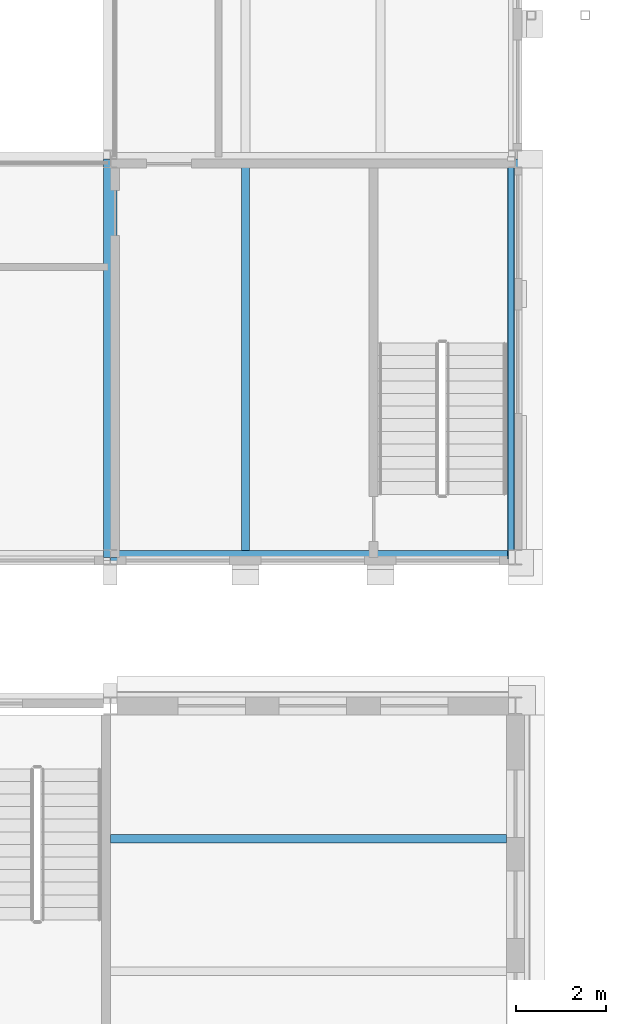
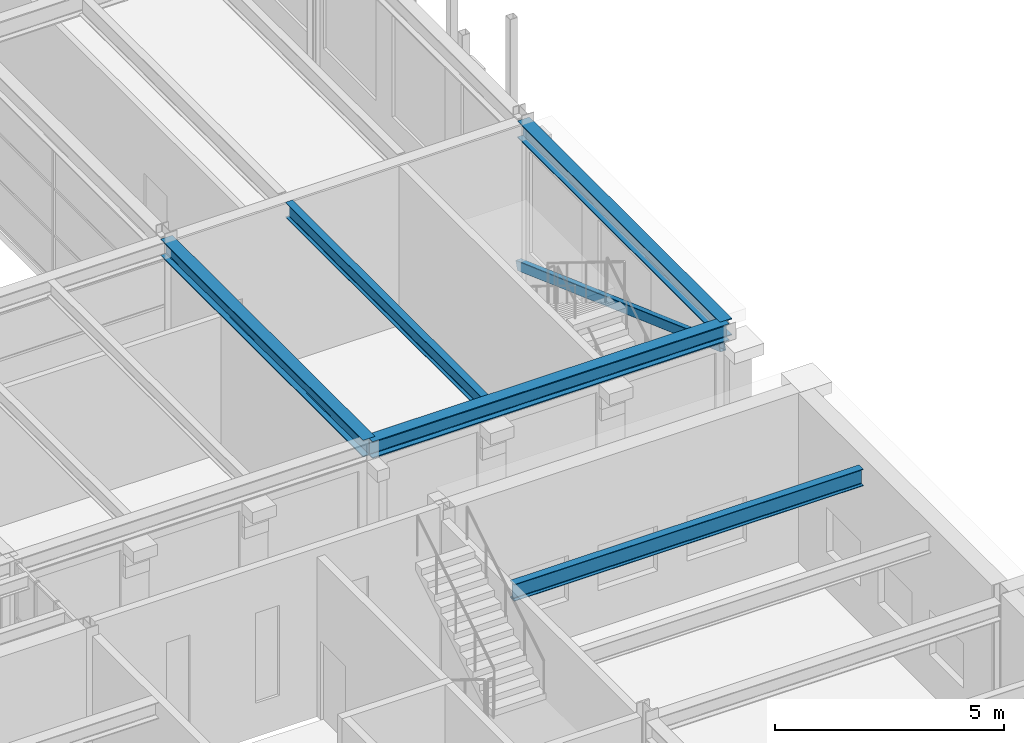
# One storey, part 40 of 153: 5 beams, 1 member.
"""IFC4 building model written with IfcOpenShell, lengths in metres."""

import ifcopenshell
import ifcopenshell.guid

model = None  # the IFC model being written
_history = None  # IfcOwnerHistory: only IFC2X3 demands one
_inside = {}  # id of a spatial element -> (the spatial element, [elements in it])
_under = {}  # id of a project, library or spatial element -> (it, [spatial elements below it])
_declared = {}  # id of a project -> (the project, [libraries it declares])
_typed = {}  # id of a type object -> (the type object, [elements of that type])
_made_of = {}  # id of a material, layer set ... -> (it, [elements and type objects made of it])


def new_model(schema):
    """Start an empty IFC model of exactly this schema.

    Asked for "IFC4X3", IfcOpenShell would pick the latest addendum, in which some entities
    have other attributes; the version numbers below select the first issue.
    IFC2X3 requires an IfcOwnerHistory on every rooted entity: one is made here for all.
    """
    global model, _history
    if schema == "IFC4X3":
        model = ifcopenshell.file(schema_version=(4, 3, 0, 0))
    else:
        model = ifcopenshell.file(schema=schema)
    _inside.clear()
    _under.clear()
    _declared.clear()
    _typed.clear()
    _made_of.clear()
    _history = None
    if model.schema == "IFC2X3":
        org = make("IfcOrganization", Name="unknown")
        user = make(
            "IfcPersonAndOrganization",
            ThePerson=make("IfcPerson", FamilyName="unknown"),
            TheOrganization=org,
        )
        app = make(
            "IfcApplication",
            ApplicationDeveloper=org,
            Version="unknown",
            ApplicationFullName="unknown",
            ApplicationIdentifier="unknown",
        )
        _history = make(
            "IfcOwnerHistory",
            OwningUser=user,
            OwningApplication=app,
            ChangeAction="ADDED",
            CreationDate=0,
        )
    return model


def make(cls, **values):
    """One entity of the class cls with the attributes given. An attribute that is None is left unset."""
    return model.create_entity(
        cls, **{name: value for name, value in values.items() if value is not None}
    )


def rooted(cls, **values):
    """An entity with a GlobalId (a new one), such as an element, a storey or a relation."""
    return make(cls, GlobalId=ifcopenshell.guid.new(), OwnerHistory=_history, **values)


def si_unit(unit_type, name, prefix=None):
    """IfcSIUnit, for example si_unit("LENGTHUNIT", "METRE", prefix="MILLI")."""
    return make("IfcSIUnit", UnitType=unit_type, Prefix=prefix, Name=name)


def assignment(units):
    """IfcUnitAssignment: the units of a project."""
    return None if units is None else make("IfcUnitAssignment", Units=units)


def point(xyz):
    """IfcCartesianPoint."""
    return None if xyz is None else make("IfcCartesianPoint", Coordinates=xyz)


def direction(xyz):
    """IfcDirection."""
    return None if xyz is None else make("IfcDirection", DirectionRatios=xyz)


def frame(location, z_axis=None, x_axis=None):
    """IfcAxis2Placement3D, a coordinate frame: its origin and axes. An axis left out is left unset."""
    return make(
        "IfcAxis2Placement3D",
        Location=point(location),
        Axis=direction(z_axis),
        RefDirection=direction(x_axis),
    )


def frame_2d(location, x_axis=None):
    """IfcAxis2Placement2D, a coordinate frame in the plane: its origin and x axis."""
    return make(
        "IfcAxis2Placement2D", Location=point(location), RefDirection=direction(x_axis)
    )


def origin():
    """The frame at (0, 0, 0) with its axes left unset."""
    return frame((0.0, 0.0, 0.0))


def origin_2d():
    """The frame at (0, 0) in the plane with its x axis left unset."""
    return frame_2d((0.0, 0.0))


def place(relative_to, where):
    """IfcLocalPlacement: puts the frame where relative to a parent placement (None: the world)."""
    return make(
        "IfcLocalPlacement", PlacementRelTo=relative_to, RelativePlacement=where
    )


def context(
    kind, dimensions, precision=None, world=None, true_north=None, identifier=None
):
    """IfcGeometricRepresentationContext, for example the 3D "Model" context."""
    return make(
        "IfcGeometricRepresentationContext",
        ContextIdentifier=identifier,
        ContextType=kind,
        CoordinateSpaceDimension=dimensions,
        Precision=precision,
        WorldCoordinateSystem=world,
        TrueNorth=true_north,
    )


def subcontext(parent, identifier, kind, view, scale=None):
    """IfcGeometricRepresentationSubContext, for example "Body" below "Model"."""
    return make(
        "IfcGeometricRepresentationSubContext",
        ContextIdentifier=identifier,
        ContextType=kind,
        ParentContext=parent,
        TargetScale=scale,
        TargetView=view,
    )


def project(units=None, contexts=None):
    """IfcProject with its units and contexts."""
    return rooted(
        "IfcProject",
        Name="project",
        RepresentationContexts=contexts,
        UnitsInContext=assignment(units),
    )


def spatial(cls, under=None, at=None, **own):
    """A site, building, storey or space (cls), placed at a placement, below another one or the project."""
    s = rooted(cls, ObjectPlacement=at, **own)
    if under is not None:
        _under.setdefault(under.id(), (under, []))[1].append(s)
    return s


def profile(cls, at=None, kind="AREA", **sizes):
    """A parametric profile (cls). Its sizes go by their IFC names, for example OverallWidth=200.0."""
    return make(cls, ProfileType=kind, Position=at, **sizes)


def hollow_rectangle(**sizes):
    """IfcRectangleHollowProfileDef."""
    return profile("IfcRectangleHollowProfileDef", **sizes)


def i_section(**sizes):
    """IfcIShapeProfileDef."""
    return profile("IfcIShapeProfileDef", **sizes)


def extrude(swept, where, along, depth):
    """IfcExtrudedAreaSolid: the profile swept, set in the frame where, extruded along a direction by depth."""
    return make(
        "IfcExtrudedAreaSolid",
        SweptArea=swept,
        Position=where,
        ExtrudedDirection=direction(along),
        Depth=depth,
    )


def shape(context_of_items, identifier, shape_type, items):
    """IfcShapeRepresentation: the items that make up one representation, for example the "Body"."""
    return make(
        "IfcShapeRepresentation",
        ContextOfItems=context_of_items,
        RepresentationIdentifier=identifier,
        RepresentationType=shape_type,
        Items=items,
    )


def material(Name=None, Category=None):
    """IfcMaterial."""
    return make("IfcMaterial", Name=Name, Category=Category)


def material_profile(
    of_material, cross_section, Name=None, Category=None, Priority=None
):
    """IfcMaterialProfile: a cross section and its material."""
    return make(
        "IfcMaterialProfile",
        Name=Name,
        Material=of_material,
        Profile=cross_section,
        Priority=Priority,
        Category=Category,
    )


def profile_set(profiles, Name=None, composite=None):
    """IfcMaterialProfileSet."""
    return make(
        "IfcMaterialProfileSet",
        Name=Name,
        MaterialProfiles=profiles,
        CompositeProfile=composite,
    )


def made_of(thing, what):
    """Note that an element or type object is made of a material, layer set ...; save() writes the relation."""
    if what is not None:
        _made_of.setdefault(what.id(), (what, []))[1].append(thing)
    return thing


def type_object(cls, material=None, **own):
    """A type object (cls), such as IfcWallType, which elements share."""
    return made_of(rooted(cls, **own), material)


def element(
    cls,
    number,
    at=None,
    inside=None,
    cuts=None,
    type_object=None,
    material=None,
    context=None,
    identifier="Body",
    shape_type=None,
    held_by="IfcProductDefinitionShape",
    body=None,
    shapes=None,
    **own,
):
    """One element of the class cls, such as IfcWall. Its Tag is "e" and its number.

    at: its placement. inside: the storey or other place that contains it. cuts: it is an
    opening in that element (IfcRelVoidsElement). A single representation is given by context,
    identifier, shape_type and body (its items); several are given by shapes. held_by: the class
    of the entity that holds the representations. save() writes the other relations.
    """
    e = rooted(cls, Tag="e%d" % number, ObjectPlacement=at, **own)
    if body is not None:
        shapes = [shape(context, identifier, shape_type, body)]
    if shapes is not None:
        e.Representation = make(held_by, Representations=shapes)
    if inside is not None:
        _inside.setdefault(inside.id(), (inside, []))[1].append(e)
    if cuts is not None:
        rooted(
            "IfcRelVoidsElement", RelatingBuildingElement=cuts, RelatedOpeningElement=e
        )
    if type_object is not None:
        _typed.setdefault(type_object.id(), (type_object, []))[1].append(e)
    return made_of(e, material)


def aggregate(whole, parts):
    """IfcRelAggregates: a whole, such as a stair, and the parts it consists of."""
    return rooted("IfcRelAggregates", RelatingObject=whole, RelatedObjects=parts)


def save(model, path):
    """Write the relations noted so far, then the file.

    IfcRelAggregates (storeys below a building ...), IfcRelContainedInSpatialStructure (elements
    in a storey), IfcRelDefinesByType, IfcRelAssociatesMaterial and IfcRelDeclares: one each for
    every whole, place, type object, material and project.
    """
    for whole, parts in _under.values():
        aggregate(whole, parts)
    for where, things in _inside.values():
        rooted(
            "IfcRelContainedInSpatialStructure",
            RelatedElements=things,
            RelatingStructure=where,
        )
    for kind, things in _typed.values():
        rooted("IfcRelDefinesByType", RelatedObjects=things, RelatingType=kind)
    for what, things in _made_of.values():
        rooted("IfcRelAssociatesMaterial", RelatedObjects=things, RelatingMaterial=what)
    for by, libraries in _declared.values():
        rooted("IfcRelDeclares", RelatingContext=by, RelatedDefinitions=libraries)
    model.write(path)


model = new_model("IFC4")

# Units and contexts
model_context = context("Model", 3, precision=1e-05, world=origin(), true_north=direction((0.0, 1.0)))
body_context = subcontext(model_context, "Body", "Model", "MODEL_VIEW")
ifc_project = project(units=[si_unit("LENGTHUNIT", "METRE"), si_unit("AREAUNIT", "SQUARE_METRE"), si_unit("VOLUMEUNIT", "CUBIC_METRE"), si_unit("PLANEANGLEUNIT", "RADIAN"), si_unit("MASSUNIT", "GRAM", prefix="KILO")], contexts=[model_context])

# Site, building, storey
site_placement = place(None, origin())
site = spatial("IfcSite", under=ifc_project, at=site_placement, CompositionType="ELEMENT")
building_placement = place(site_placement, origin())
building = spatial("IfcBuilding", under=site, at=building_placement, Name="Kallimachos Central Library", CompositionType="ELEMENT")
storey_placement = place(building_placement, frame((0.0, 0.0, 5.39990234375)))
storey = spatial("IfcBuildingStorey", under=building, at=storey_placement, Name="L01", CompositionType="ELEMENT", Elevation=5.39990234375)

# Beams
ifc_material_1 = material(Name="Steel S355J2", Category="steel")
ifc_material_profile_1 = material_profile(ifc_material_1, i_section(OverallWidth=0.300048828125, OverallDepth=0.449951171875, WebThickness=0.013916015625, FlangeThickness=0.02587890625, FilletRadius=0.027099609375, at=origin_2d()), Name="HEB 450")
ifc_profile_set_1 = profile_set([ifc_material_profile_1], Name="Steel S355J2")
beam_type_1 = type_object("IfcBeamType", Name="HEB 450 beam", PredefinedType="BEAM", material=ifc_profile_set_1)
beam_1_placement = place(storey_placement, frame((101.5, 48.14990234375, 4.025146484375), z_axis=(1.0, 0.0, 0.0), x_axis=(0.0, 1.0, 0.0)))
element("IfcBeam", 1, at=beam_1_placement, inside=storey, type_object=beam_type_1, Name="V4-BEM-L01-045", PredefinedType="BEAM", context=body_context, shape_type="SweptSolid", body=[
    extrude(i_section(OverallWidth=0.300048828125, OverallDepth=0.449951171875, WebThickness=0.013916015625, FlangeThickness=0.02587890625, FilletRadius=0.027099609375, at=origin_2d()), origin(), (0.0, 0.0, 1.0), 9.0),
])
for number, where, z_axis, x_axis, name in (
    (2, (101.5, 48.14990234375, 4.025146484375), (0.0, 1.0, 0.0), (-1.0, 0.0, 0.0), "V4-BEM-L01-053"),
    (3, (110.5, 48.14990234375, 4.025146484375), (0.0, 1.0, 0.0), (-1.0, 0.0, 0.0), "V4-BEM-L01-054"),
):
    element("IfcBeam", number, at=place(storey_placement, frame(where, z_axis=z_axis, x_axis=x_axis)), inside=storey, type_object=beam_type_1, Name=name, PredefinedType="BEAM", context=body_context, shape_type="SweptSolid", body=[
        extrude(i_section(OverallWidth=0.300048828125, OverallDepth=0.449951171875, WebThickness=0.013916015625, FlangeThickness=0.02587890625, FilletRadius=0.027099609375, at=origin_2d()), origin(), (0.0, 0.0, 1.0), 8.85009765625),
    ])
ifc_material_2 = material(Name="Steel S355J2", Category="steel")
ifc_material_profile_2 = material_profile(ifc_material_2, i_section(OverallWidth=0.179931640625, OverallDepth=0.39990234375, WebThickness=0.008544921875, FlangeThickness=0.013427734375, FilletRadius=0.02099609375, at=origin_2d()), Name="IPE 400")
ifc_profile_set_2 = profile_set([ifc_material_profile_2], Name="Steel S355J2")
beam_type_2 = type_object("IfcBeamType", Name="IPE 400 beam", PredefinedType="BEAM", material=ifc_profile_set_2)
beam_2_placement = place(storey_placement, frame((104.5, 48.300048828125, 4.050048828125), z_axis=(0.0, 1.0, 0.0), x_axis=(-1.0, 0.0, 0.0)))
element("IfcBeam", 4, at=beam_2_placement, inside=storey, type_object=beam_type_2, Name="V4-BEM-L01-062", PredefinedType="BEAM", context=body_context, shape_type="SweptSolid", body=[
    extrude(i_section(OverallWidth=0.179931640625, OverallDepth=0.39990234375, WebThickness=0.008544921875, FlangeThickness=0.013427734375, FilletRadius=0.02099609375, at=origin_2d()), origin(), (0.0, 0.0, 1.0), 8.550048828125),
])
ifc_material_3 = material(Name="Steel S355J2", Category="steel")
ifc_material_profile_3 = material_profile(ifc_material_3, i_section(OverallWidth=0.18994140625, OverallDepth=0.449951171875, WebThickness=0.009521484375, FlangeThickness=0.0146484375, FilletRadius=0.02099609375, at=origin_2d()), Name="IPE 450")
ifc_profile_set_3 = profile_set([ifc_material_profile_3], Name="Steel S355J2")
beam_type_3 = type_object("IfcBeamType", Name="IPE 450 beam", PredefinedType="BEAM", material=ifc_profile_set_3)
beam_3_placement = place(storey_placement, frame((101.5, 41.89990234375, 3.97509765625), z_axis=(1.0, 0.0, 0.0), x_axis=(0.0, 1.0, 0.0)))
element("IfcBeam", 5, at=beam_3_placement, inside=storey, type_object=beam_type_3, Name="V5-BEM-L01-034", PredefinedType="BEAM", context=body_context, shape_type="SweptSolid", body=[
    extrude(i_section(OverallWidth=0.18994140625, OverallDepth=0.449951171875, WebThickness=0.009521484375, FlangeThickness=0.0146484375, FilletRadius=0.02099609375, at=origin_2d()), origin(), (0.0, 0.0, 1.0), 8.800048828125),
])

# Member
ifc_material_4 = material(Name="Steel S355J2H", Category="steel")
ifc_material_profile_4 = material_profile(ifc_material_4, hollow_rectangle(XDim=0.14990234375, YDim=0.25, WallThickness=0.010009765625, InnerFilletRadius=0.010009765625, OuterFilletRadius=0.014892578125, at=origin_2d()), Name="RHS 250x150x10")
ifc_profile_set_4 = profile_set([ifc_material_profile_4], Name="Steel S355J2H")
member_type = type_object("IfcMemberType", Name="RHS 250x150x10 brace", PredefinedType="BRACE", material=ifc_profile_set_4)
member_placement = place(storey_placement, frame((110.39990234375, 57.0, 0.400146484375), z_axis=(0.0, -0.94041523715, 0.340028207264), x_axis=(1.0, 0.0, 0.0)))
element("IfcMember", 6, at=member_placement, inside=storey, type_object=member_type, Name="V4-MEM-L01-004", PredefinedType="BRACE", context=body_context, shape_type="SweptSolid", body=[
    extrude(hollow_rectangle(XDim=0.14990234375, YDim=0.25, WallThickness=0.010009765625, InnerFilletRadius=0.010009765625, OuterFilletRadius=0.014892578125, at=origin_2d()), origin(), (0.0, 0.0, 1.0), 9.410888671875),
])

save(model, "model.ifc")
